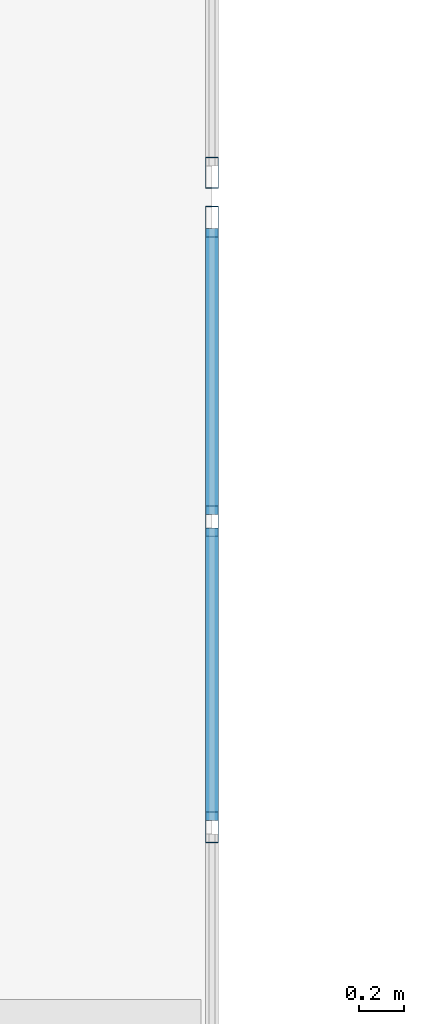
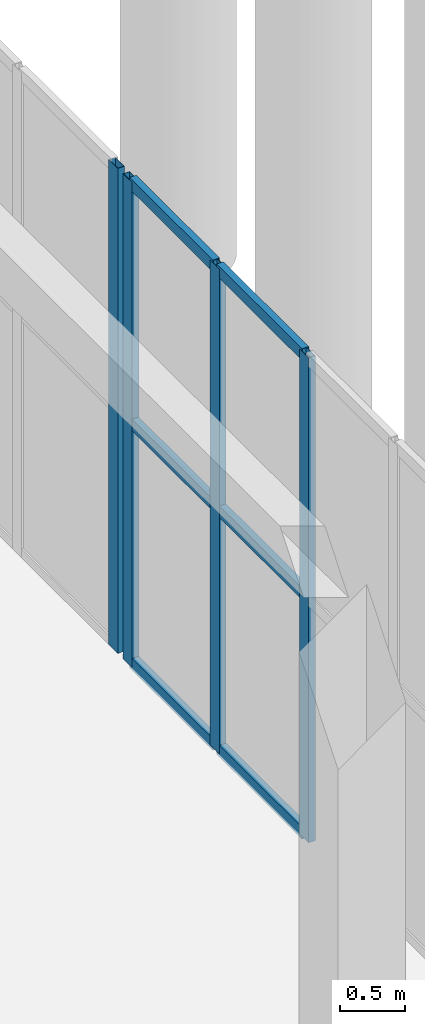
# One storey, part 76 of 192: 10 members, 2 elements without a shape of their own.
"""IFC4 building model written with IfcOpenShell, lengths in metres."""

from ifc_helpers import new_model, si_unit, direction, frame, origin, origin_2d, place, context, subcontext, project, spatial, hollow_rectangle, extrude, material, layer, layer_set, material_profile, profile_set, type_object, element, aggregate, save


model = new_model("IFC4")

# Units and contexts
model_context = context("Model", 3, precision=1e-05, world=origin(), true_north=direction((0.0, 1.0)))
body_context = subcontext(model_context, "Body", "Model", "MODEL_VIEW")
ifc_project = project(units=[si_unit("LENGTHUNIT", "METRE"), si_unit("AREAUNIT", "SQUARE_METRE"), si_unit("VOLUMEUNIT", "CUBIC_METRE"), si_unit("PLANEANGLEUNIT", "RADIAN"), si_unit("MASSUNIT", "GRAM", prefix="KILO")], contexts=[model_context])

# Site, building, storey
site_placement = place(None, origin())
site = spatial("IfcSite", under=ifc_project, at=site_placement, CompositionType="ELEMENT")
building_placement = place(site_placement, origin())
building = spatial("IfcBuilding", under=site, at=building_placement, Name="Trelvath General Hospital", CompositionType="ELEMENT")
storey_placement = place(building_placement, origin())
storey = spatial("IfcBuildingStorey", under=building, at=storey_placement, Name="L00", CompositionType="ELEMENT", Elevation=0.0)

# Curtain wall, members
ifc_material_1 = material(Name="Anodised aluminium and low-E glass", Category="aluminium")
ifc_layer_1 = layer(ifc_material_1, 0.139892578125)
ifc_layer_set_1 = layer_set([ifc_layer_1], Name="Anodised aluminium and low-E glass")
curtain_wall_type_1 = type_object("IfcCurtainWallType", Name="CW CrystalCube 824 456 14", PredefinedType="USERDEFINED", material=ifc_layer_set_1)
curtain_wall_1_placement = place(storey_placement, origin())
curtain_wall_1 = element("IfcCurtainWall", 1, at=curtain_wall_1_placement, inside=storey, type_object=curtain_wall_type_1, Name="Crystal Cube Curtain Wall CUBE-E-T0 E3 L00", ObjectType="Unitised Glazed Curtain Wall", PredefinedType="USERDEFINED")
ifc_material_2 = material(Name="Anodised aluminium", Category="aluminium")
ifc_material_profile_1 = material_profile(ifc_material_2, hollow_rectangle(XDim=0.06005859375, YDim=0.139892578125, WallThickness=0.00390625, at=origin_2d()), Name="RHS60x140x4")
ifc_profile_set_1 = profile_set([ifc_material_profile_1], Name="Anodised aluminium")
member_type_1 = type_object("IfcMemberType", Name="CurtainMullion 60x140", PredefinedType="MULLION", material=ifc_profile_set_1)
member_1_placement = place(storey_placement, frame((121.199951171875, 50.2900390625, 0.0), z_axis=(0.0, 0.0, 1.0), x_axis=(1.0, 0.0, 0.0)))
member_1 = element("IfcMember", 2, at=member_1_placement, type_object=member_type_1, Name="CW-120 mullion 1", PredefinedType="MULLION", context=body_context, shape_type="SweptSolid", body=[
    extrude(hollow_rectangle(XDim=0.06005859375, YDim=0.139892578125, WallThickness=0.00390625, at=origin_2d()), origin(), (0.0, 0.0, 1.0), 4.56005859375),
])
member_2_placement = place(storey_placement, frame((121.199951171875, 48.94677734375, 0.0), z_axis=(0.0, 0.0, 1.0), x_axis=(1.0, 0.0, 0.0)))
member_2 = element("IfcMember", 3, at=member_2_placement, type_object=member_type_1, Name="CW-120 mullion 2", PredefinedType="MULLION", context=body_context, shape_type="SweptSolid", body=[
    extrude(hollow_rectangle(XDim=0.06005859375, YDim=0.139892578125, WallThickness=0.00390625, at=origin_2d()), origin(), (0.0, 0.0, 1.0), 4.56005859375),
])
member_3_placement = place(storey_placement, frame((121.199951171875, 47.5732421875, 0.0), z_axis=(0.0, 0.0, 1.0), x_axis=(1.0, 0.0, 0.0)))
member_3 = element("IfcMember", 4, at=member_3_placement, type_object=member_type_1, Name="CW-120 mullion 3", PredefinedType="MULLION", context=body_context, shape_type="SweptSolid", body=[
    extrude(hollow_rectangle(XDim=0.06005859375, YDim=0.139892578125, WallThickness=0.00390625, at=origin_2d()), origin(), (0.0, 0.0, 1.0), 4.56005859375),
])

# Curtain wall, member
ifc_material_3 = material(Name="Anodised aluminium and low-E glass", Category="aluminium")
ifc_layer_2 = layer(ifc_material_3, 0.139892578125)
ifc_layer_set_2 = layer_set([ifc_layer_2], Name="Anodised aluminium and low-E glass")
curtain_wall_type_2 = type_object("IfcCurtainWallType", Name="CW CrystalCube 1664 456 14", PredefinedType="USERDEFINED", material=ifc_layer_set_2)
curtain_wall_2_placement = place(storey_placement, origin())
curtain_wall_2 = element("IfcCurtainWall", 5, at=curtain_wall_2_placement, inside=storey, type_object=curtain_wall_type_2, Name="Crystal Cube Curtain Wall CUBE-E-T0 E4 L00", ObjectType="Unitised Glazed Curtain Wall", PredefinedType="USERDEFINED")
member_4_placement = place(storey_placement, frame((121.199951171875, 50.510009765625, 0.0), z_axis=(0.0, 0.0, 1.0), x_axis=(1.0, 0.0, 0.0)))
member_4 = element("IfcMember", 6, at=member_4_placement, type_object=member_type_1, Name="CW-121 mullion 12", PredefinedType="MULLION", context=body_context, shape_type="SweptSolid", body=[
    extrude(hollow_rectangle(XDim=0.06005859375, YDim=0.139892578125, WallThickness=0.00390625, at=origin_2d()), origin(), (0.0, 0.0, 1.0), 4.56005859375),
])
aggregate(curtain_wall_2, [member_4])

# Member
ifc_material_4 = material(Name="Anodised aluminium", Category="aluminium")
ifc_material_profile_2 = material_profile(ifc_material_4, hollow_rectangle(XDim=0.06005859375, YDim=0.110107421875, WallThickness=0.00390625, at=origin_2d()), Name="RHS60x110x4")
ifc_profile_set_2 = profile_set([ifc_material_profile_2], Name="Anodised aluminium")
member_type_2 = type_object("IfcMemberType", Name="CurtainTransom 60x110", PredefinedType="USERDEFINED", material=ifc_profile_set_2)
member_5_placement = place(storey_placement, frame((121.199951171875, 50.260009765625, 0.030029296875), z_axis=(0.0, -1.0, 0.0), x_axis=(1.0, 0.0, 0.0)))
member_5 = element("IfcMember", 7, at=member_5_placement, type_object=member_type_2, Name="CW-120 transom 1.1", ObjectType="TRANSOM", PredefinedType="USERDEFINED", context=body_context, shape_type="SweptSolid", body=[
    extrude(hollow_rectangle(XDim=0.06005859375, YDim=0.110107421875, WallThickness=0.00390625, at=origin_2d()), origin(), (0.0, 0.0, 1.0), 1.283447265625),
])

member_6_placement = place(storey_placement, frame((121.199951171875, 50.260009765625, 2.280029296875), z_axis=(0.0, -1.0, 0.0), x_axis=(1.0, 0.0, 0.0)))
member_6 = element("IfcMember", 8, at=member_6_placement, type_object=member_type_2, Name="CW-120 transom 1.2", ObjectType="TRANSOM", PredefinedType="USERDEFINED", context=body_context, shape_type="SweptSolid", body=[
    extrude(hollow_rectangle(XDim=0.06005859375, YDim=0.110107421875, WallThickness=0.00390625, at=origin_2d()), origin(), (0.0, 0.0, 1.0), 1.283447265625),
])

member_7_placement = place(storey_placement, frame((121.199951171875, 50.260009765625, 4.530029296875), z_axis=(0.0, -1.0, 0.0), x_axis=(1.0, 0.0, 0.0)))
member_7 = element("IfcMember", 9, at=member_7_placement, type_object=member_type_2, Name="CW-120 transom 1.3", ObjectType="TRANSOM", PredefinedType="USERDEFINED", context=body_context, shape_type="SweptSolid", body=[
    extrude(hollow_rectangle(XDim=0.06005859375, YDim=0.110107421875, WallThickness=0.00390625, at=origin_2d()), origin(), (0.0, 0.0, 1.0), 1.283447265625),
])

member_8_placement = place(storey_placement, frame((121.199951171875, 48.916748046875, 0.030029296875), z_axis=(0.0, -1.0, 0.0), x_axis=(1.0, 0.0, 0.0)))
member_8 = element("IfcMember", 10, at=member_8_placement, type_object=member_type_2, Name="CW-120 transom 2.1", ObjectType="TRANSOM", PredefinedType="USERDEFINED", context=body_context, shape_type="SweptSolid", body=[
    extrude(hollow_rectangle(XDim=0.06005859375, YDim=0.110107421875, WallThickness=0.00390625, at=origin_2d()), origin(), (0.0, 0.0, 1.0), 1.3134765625),
])

member_9_placement = place(storey_placement, frame((121.199951171875, 48.916748046875, 2.280029296875), z_axis=(0.0, -1.0, 0.0), x_axis=(1.0, 0.0, 0.0)))
member_9 = element("IfcMember", 11, at=member_9_placement, type_object=member_type_2, Name="CW-120 transom 2.2", ObjectType="TRANSOM", PredefinedType="USERDEFINED", context=body_context, shape_type="SweptSolid", body=[
    extrude(hollow_rectangle(XDim=0.06005859375, YDim=0.110107421875, WallThickness=0.00390625, at=origin_2d()), origin(), (0.0, 0.0, 1.0), 1.3134765625),
])

member_10_placement = place(storey_placement, frame((121.199951171875, 48.916748046875, 4.530029296875), z_axis=(0.0, -1.0, 0.0), x_axis=(1.0, 0.0, 0.0)))
member_10 = element("IfcMember", 12, at=member_10_placement, type_object=member_type_2, Name="CW-120 transom 2.3", ObjectType="TRANSOM", PredefinedType="USERDEFINED", context=body_context, shape_type="SweptSolid", body=[
    extrude(hollow_rectangle(XDim=0.06005859375, YDim=0.110107421875, WallThickness=0.00390625, at=origin_2d()), origin(), (0.0, 0.0, 1.0), 1.3134765625),
])

aggregate(curtain_wall_1, [member_1, member_2, member_3, member_5, member_6, member_7, member_8, member_9, member_10])

save(model, "model.ifc")
